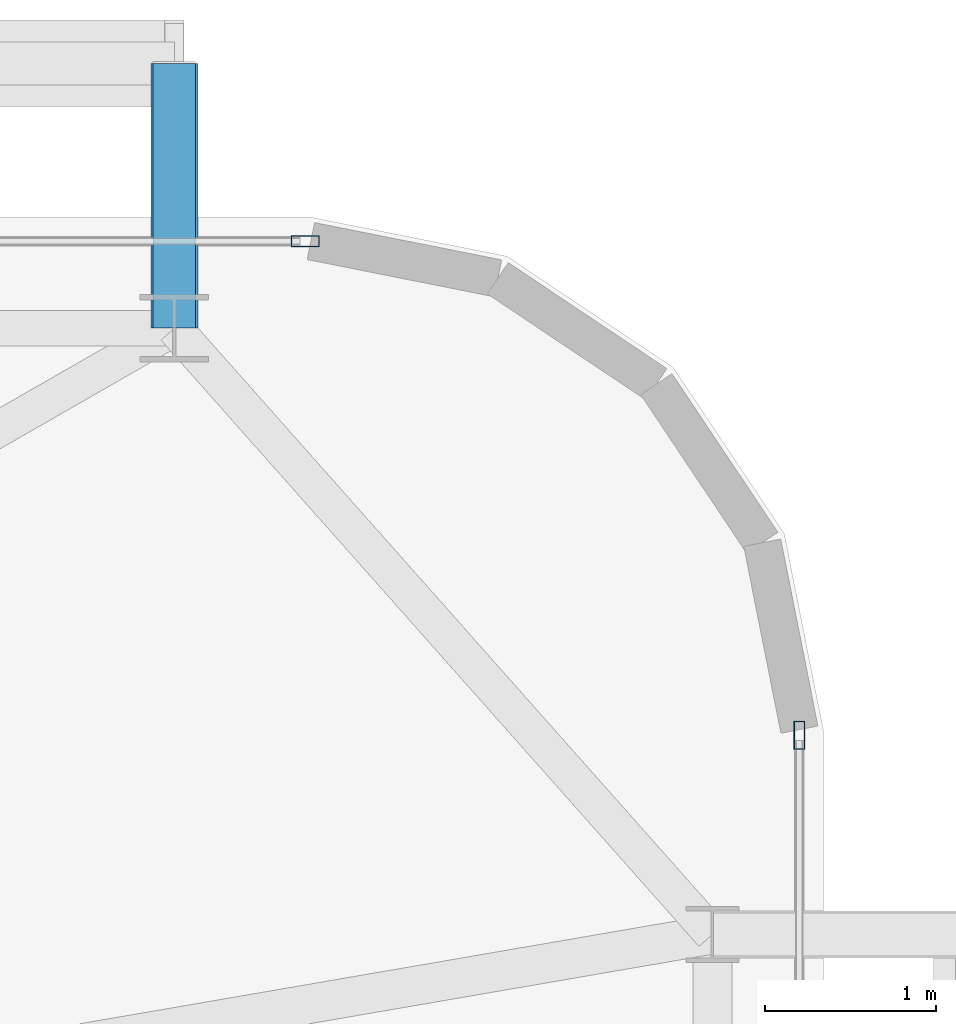
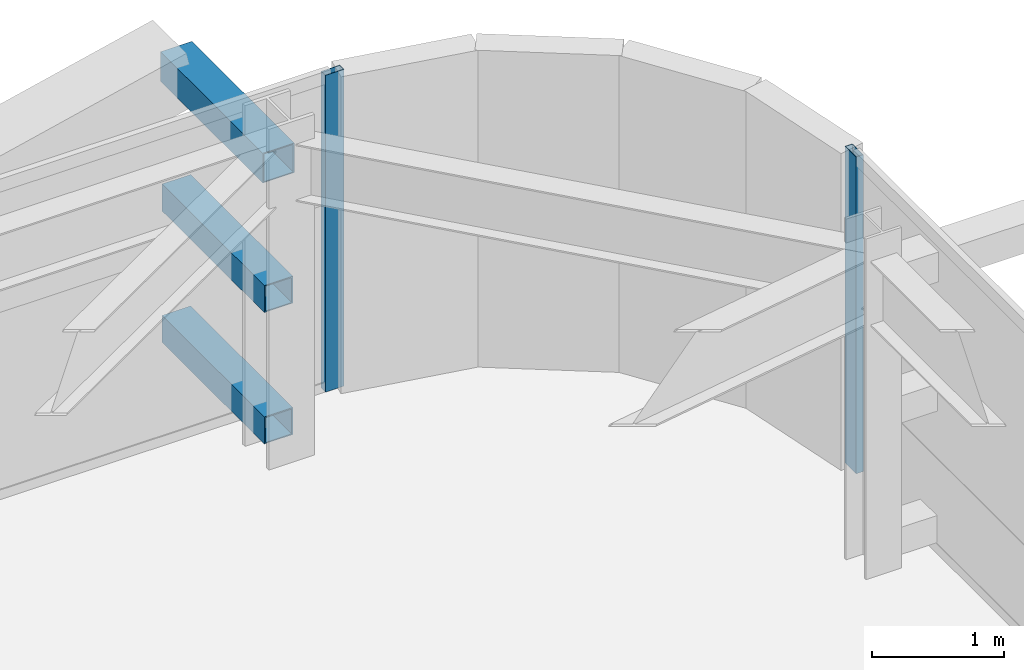
# One storey, part 28 of 44: 5 members, 2 elements without a shape of their own.
"""IFC4 building model written with IfcOpenShell, lengths in metres."""

from ifc_helpers import new_model, si_unit, direction, frame, origin, origin_2d, place, context, subcontext, project, spatial, hollow_rectangle, extrude, source, transform, mapped, material, layer, layer_set, material_profile, profile_set, type_object, element, aggregate, save


model = new_model("IFC4")

# Units and contexts
model_context = context("Model", 3, precision=1e-05, world=origin(), true_north=direction((0.0, 1.0)))
body_context = subcontext(model_context, "Body", "Model", "MODEL_VIEW")
ifc_project = project(units=[si_unit("LENGTHUNIT", "METRE"), si_unit("AREAUNIT", "SQUARE_METRE"), si_unit("VOLUMEUNIT", "CUBIC_METRE"), si_unit("PLANEANGLEUNIT", "RADIAN"), si_unit("MASSUNIT", "GRAM", prefix="KILO")], contexts=[model_context])

# Site, building, storey
site_placement = place(None, origin())
site = spatial("IfcSite", under=ifc_project, at=site_placement, CompositionType="ELEMENT")
building_placement = place(site_placement, origin())
building = spatial("IfcBuilding", under=site, at=building_placement, Name="Taldren Reach Tower", CompositionType="ELEMENT")
storey_placement = place(building_placement, frame((0.0, 0.0, 42.0)))
storey = spatial("IfcBuildingStorey", under=building, at=storey_placement, Name="L12", CompositionType="ELEMENT", Elevation=42.0)

# Members
ifc_material_1 = material(Name="Steel Gr 450 (C450L0)", Category="steel")
ifc_material_profile_1 = material_profile(ifc_material_1, hollow_rectangle(XDim=0.27490234375, YDim=0.27490234375, WallThickness=0.00927734375, at=origin_2d()), Name="275x275x9.3SHS")
ifc_profile_set_1 = profile_set([ifc_material_profile_1], Name="Steel Gr 450 (C450L0)")
member_type_1 = type_object("IfcMemberType", Name="MB-TIE273", PredefinedType="STRUT", material=ifc_profile_set_1)
shared_shape_1 = source(origin(), body_context, "Body", "SweptSolid", [
    extrude(hollow_rectangle(XDim=0.27490234375, YDim=0.27490234375, WallThickness=0.00927734375, at=origin_2d()), origin(), (0.0, 0.0, 1.0), 1.5498046875),
])
member_1_placement = place(storey_placement, frame((61.199951171875, 37.85009765625, 2.64990234375), z_axis=(0.0, 1.0, 0.0), x_axis=(-1.0, 0.0, 0.0)))
element("IfcMember", 1, at=member_1_placement, inside=storey, type_object=member_type_1, Name="Exoskeleton diaphragm tie strut B1-N6 L12", PredefinedType="STRUT", context=body_context, shape_type="MappedRepresentation", body=[
    mapped(shared_shape_1, transform((0.0, 0.0, 0.0), scale=1.0)),
])
ifc_material_2 = material(Name="Steel Gr 350 (C350L0)", Category="steel")
ifc_material_profile_2 = material_profile(ifc_material_2, hollow_rectangle(XDim=0.25, YDim=0.25, WallThickness=0.010009765625, at=origin_2d()), Name="250x250x10.0SHS")
ifc_profile_set_2 = profile_set([ifc_material_profile_2], Name="Steel Gr 350 (C350L0)")
member_type_2 = type_object("IfcMemberType", Name="MB-POST250", PredefinedType="POST", material=ifc_profile_set_2)
shared_shape_2 = source(origin(), body_context, "Body", "SweptSolid", [
    extrude(hollow_rectangle(XDim=0.25, YDim=0.25, WallThickness=0.010009765625, at=origin_2d()), origin(), (0.0, 0.0, 1.0), 1.5498046875),
])
for number, where, z_axis, x_axis, name in (
    (2, (61.199951171875, 37.85009765625, 0.219970703125), (0.0, 1.0, 0.0), (-1.0, 0.0, 0.0), "Exoskeleton base diaphragm tie strut B1-N6 L12"),
    (3, (61.199951171875, 37.85009765625, 1.43505859375), (0.0, 1.0, 0.0), (-1.0, 0.0, 0.0), "Exoskeleton mid-tier diaphragm tie B1-N6 L12"),
):
    element("IfcMember", number, at=place(storey_placement, frame(where, z_axis=z_axis, x_axis=x_axis)), inside=storey, type_object=member_type_2, Name=name, PredefinedType="POST", context=body_context, shape_type="MappedRepresentation", body=[
        mapped(shared_shape_2, transform((0.0, 0.0, 0.0), scale=1.0)),
    ])

# Curtain wall, member
ifc_material_3 = material(Name="Aluminium and Low-E Glass Unitised System", Category="aluminium")
ifc_layer = layer(ifc_material_3, 0.159912109375)
ifc_layer_set = layer_set([ifc_layer], Name="Aluminium and Low-E Glass Unitised System")
curtain_wall_type = type_object("IfcCurtainWallType", Name="CW-SYS-2", PredefinedType="NOTDEFINED", material=ifc_layer_set)
curtain_wall_1_placement = place(storey_placement, origin())
curtain_wall_1 = element("IfcCurtainWall", 4, at=curtain_wall_1_placement, inside=storey, type_object=curtain_wall_type, Name="Unitised curtain wall CW-L12-N", PredefinedType="NOTDEFINED")
ifc_material_4 = material(Name="Anodised Aluminium 6063-T6", Category="aluminium")
ifc_material_profile_3 = material_profile(ifc_material_4, hollow_rectangle(XDim=0.06494140625, YDim=0.1650390625, WallThickness=0.00390625, at=origin_2d()), Name="ALU-165x65x4RHS")
ifc_profile_set_3 = profile_set([ifc_material_profile_3], Name="Anodised Aluminium 6063-T6")
member_type_3 = type_object("IfcMemberType", Name="CW-MUL-165", PredefinedType="MULLION", material=ifc_profile_set_3)
shared_shape_3 = source(origin(), body_context, "Body", "SweptSolid", [
    extrude(hollow_rectangle(XDim=0.06494140625, YDim=0.1650390625, WallThickness=0.00390625, at=origin_2d()), origin(), (0.0, 0.0, 1.0), 2.929931640625),
])
member_2_placement = place(storey_placement, frame((61.967529296875, 38.360107421875, 0.0), z_axis=(0.0, 0.0, 1.0), x_axis=(0.0, -1.0, 0.0)))
member_2 = element("IfcMember", 5, at=member_2_placement, type_object=member_type_3, Name="CW-2 mullion 1", PredefinedType="MULLION", context=body_context, shape_type="MappedRepresentation", body=[
    mapped(shared_shape_3, transform((0.0, 0.0, 0.0), scale=1.0)),
])
aggregate(curtain_wall_1, [member_2])

curtain_wall_2_placement = place(storey_placement, origin())
curtain_wall_2 = element("IfcCurtainWall", 6, at=curtain_wall_2_placement, inside=storey, type_object=curtain_wall_type, Name="Unitised curtain wall CW-L12-E", PredefinedType="NOTDEFINED")
member_3_placement = place(storey_placement, frame((64.860107421875, 35.467529296875, 0.0), z_axis=(0.0, 0.0, 1.0), x_axis=(-1.0, 0.0, 0.0)))
member_3 = element("IfcMember", 7, at=member_3_placement, type_object=member_type_3, Name="CW-2 mullion 4", PredefinedType="MULLION", context=body_context, shape_type="MappedRepresentation", body=[
    mapped(shared_shape_3, transform((0.0, 0.0, 0.0), scale=1.0)),
])
aggregate(curtain_wall_2, [member_3])

save(model, "model.ifc")
